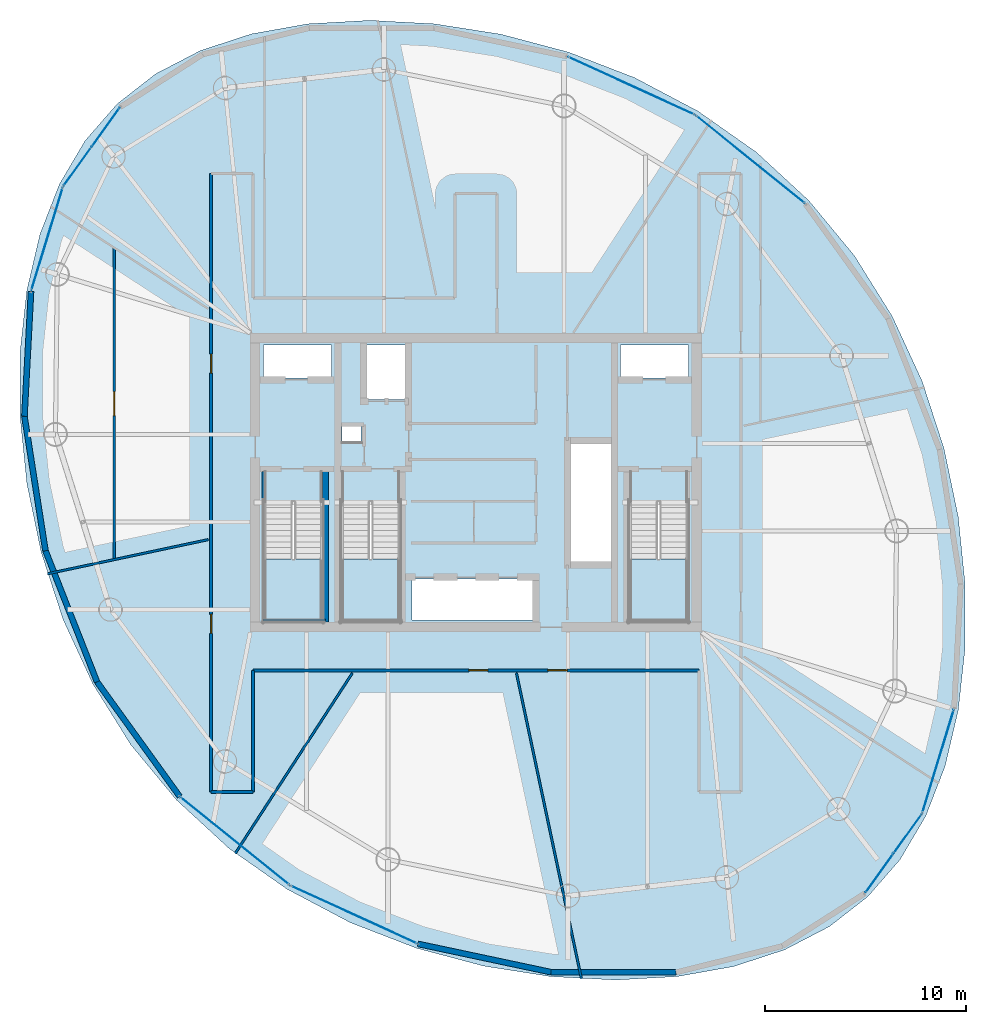
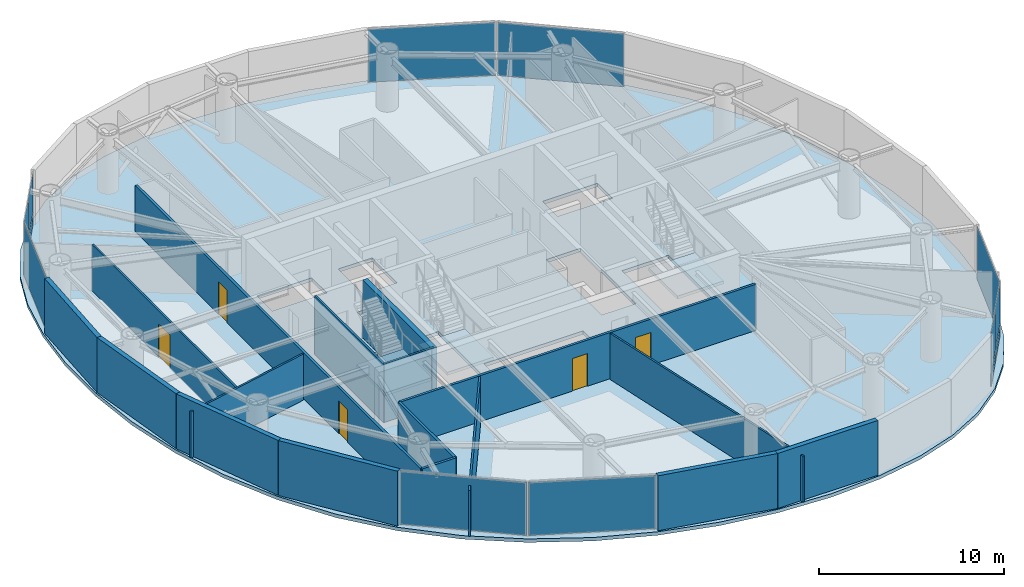
# One storey, part 12 of 19: 17 walls, 14 plates, 5 doors, 4 slabs, 5 openings, 11 elements without a shape of their own.
"""IFC4 building model written with IfcOpenShell, lengths in metres."""

from ifc_helpers import new_model, si_unit, direction, frame, frame_2d, origin, origin_2d, place, context, subcontext, project, spatial, polyline, rectangle, outline, extrude, material, layer, layer_set, type_object, element, fill, aggregate, save


model = new_model("IFC4")

# Units and contexts
model_context = context("Model", 3, precision=1e-05, world=origin(), true_north=direction((0.0, 1.0)))
body_context = subcontext(model_context, "Body", "Model", "MODEL_VIEW")
ifc_project = project(units=[si_unit("LENGTHUNIT", "METRE"), si_unit("AREAUNIT", "SQUARE_METRE"), si_unit("VOLUMEUNIT", "CUBIC_METRE"), si_unit("PLANEANGLEUNIT", "RADIAN"), si_unit("MASSUNIT", "GRAM", prefix="KILO")], contexts=[model_context])

# Site, building, storey
site_placement = place(None, origin())
site = spatial("IfcSite", under=ifc_project, at=site_placement, CompositionType="ELEMENT")
building_placement = place(site_placement, origin())
building = spatial("IfcBuilding", under=site, at=building_placement, Name="Bramvorn Convention Spire", CompositionType="ELEMENT")
storey_placement = place(building_placement, frame((0.0, 0.0, 217.39990234375)))
storey = spatial("IfcBuildingStorey", under=building, at=storey_placement, Name="L55", CompositionType="ELEMENT", Elevation=217.39990234375)

# Curtain wall, plates
ifc_material_1 = material(Name="Anodised Bronze Unitised Curtain Wall", Category="aluminium")
ifc_layer_1 = layer(ifc_material_1, 0.179931640625)
ifc_layer_set_1 = layer_set([ifc_layer_1], Name="Anodised Bronze Unitised Curtain Wall - CW-OFF-FRIT")
curtain_wall_type = type_object("IfcCurtainWallType", Name="CW-OFF-FRIT", PredefinedType="USERDEFINED", material=ifc_layer_set_1)
curtain_wall_1_placement = place(storey_placement, origin())
curtain_wall_1 = element("IfcCurtainWall", 1, at=curtain_wall_1_placement, inside=storey, type_object=curtain_wall_type, Name="L55 fritted glass curtain wall 01", ObjectType="UNITISED CURTAIN WALL", PredefinedType="USERDEFINED")
ifc_material_2 = material(Name="Laminated Low-E Glass (Triple IGU Solar Bronze Frit 28%)", Category="glass")
ifc_layer_2 = layer(ifc_material_2, 0.0400390625)
ifc_layer_set_2 = layer_set([ifc_layer_2], Name="Laminated Low-E Glass (Triple IGU Solar Bronze Frit 28%) - PNL-IGU-3")
plate_type = type_object("IfcPlateType", Name="PNL-IGU-3", PredefinedType="CURTAIN_PANEL", material=ifc_layer_set_2)
plate_1_placement = place(storey_placement, frame((59.50439453125, 8.50048828125, 0.06005859375), z_axis=(0.0, 0.0, 1.0), x_axis=(-0.583294565984, -0.812260702788, 0.0)))
plate_1 = element("IfcPlate", 2, at=plate_1_placement, type_object=plate_type, Name="CW3 panel 1.1", PredefinedType="CURTAIN_PANEL", context=body_context, shape_type="SweptSolid", body=[
    extrude(rectangle(XDim=2.34814453125, YDim=0.028076171875, at=origin_2d()), origin(), (0.0, 0.0, 1.0), 0.81005859375),
])
plate_2_placement = place(storey_placement, frame((59.50439453125, 8.50048828125, 0.93017578125), z_axis=(0.0, 0.0, 1.0), x_axis=(-0.583294565984, -0.812260702788, 0.0)))
plate_2 = element("IfcPlate", 3, at=plate_2_placement, type_object=plate_type, Name="CW3 panel 1.2", PredefinedType="CURTAIN_PANEL", context=body_context, shape_type="SweptSolid", body=[
    extrude(rectangle(XDim=2.34814453125, YDim=0.028076171875, at=origin_2d()), origin(), (0.0, 0.0, 1.0), 2.6298828125),
])
plate_3_placement = place(storey_placement, frame((58.099853515625, 6.54443359375, 0.06005859375), z_axis=(0.0, 0.0, 1.0), x_axis=(-0.583294565984, -0.812260702788, 0.0)))
plate_3 = element("IfcPlate", 4, at=plate_3_placement, type_object=plate_type, Name="CW3 panel 2.1", PredefinedType="CURTAIN_PANEL", context=body_context, shape_type="SweptSolid", body=[
    extrude(rectangle(XDim=2.34814453125, YDim=0.028076171875, at=origin_2d()), origin(), (0.0, 0.0, 1.0), 0.81005859375),
])
plate_4_placement = place(storey_placement, frame((58.099853515625, 6.54443359375, 0.93017578125), z_axis=(0.0, 0.0, 1.0), x_axis=(-0.583294565984, -0.812260702788, 0.0)))
plate_4 = element("IfcPlate", 5, at=plate_4_placement, type_object=plate_type, Name="CW3 panel 2.2", PredefinedType="CURTAIN_PANEL", context=body_context, shape_type="SweptSolid", body=[
    extrude(rectangle(XDim=2.34814453125, YDim=0.028076171875, at=origin_2d()), origin(), (0.0, 0.0, 1.0), 2.6298828125),
])
aggregate(curtain_wall_1, [plate_1, plate_2, plate_3, plate_4])

# Curtain wall, plate
curtain_wall_2_placement = place(storey_placement, origin())
curtain_wall_2 = element("IfcCurtainWall", 6, at=curtain_wall_2_placement, inside=storey, type_object=curtain_wall_type, Name="L55 fritted glass curtain wall 02", ObjectType="UNITISED CURTAIN WALL", PredefinedType="USERDEFINED")
plate_5_placement = place(storey_placement, frame((61.02294921875, 12.11572265625, 0.06005859375), z_axis=(0.0, 0.0, 1.0), x_axis=(-0.29231849112, -0.956321023375, 0.0)))
plate_5 = element("IfcPlate", 7, at=plate_5_placement, type_object=plate_type, Name="CW3 panel 1.1", PredefinedType="CURTAIN_PANEL", context=body_context, shape_type="SweptSolid", body=[
    extrude(rectangle(XDim=5.344482421875, YDim=0.028076171875, at=origin_2d()), origin(), (0.0, 0.0, 1.0), 3.5),
])
aggregate(curtain_wall_2, [plate_5])

curtain_wall_3_placement = place(storey_placement, origin())
curtain_wall_3 = element("IfcCurtainWall", 8, at=curtain_wall_3_placement, inside=storey, type_object=curtain_wall_type, Name="L55 fritted glass curtain wall 07", ObjectType="UNITISED CURTAIN WALL", PredefinedType="USERDEFINED")
plate_6_placement = place(storey_placement, frame((51.6708984375, 42.10693359375, 0.06005859375), z_axis=(0.0, 0.0, 1.0), x_axis=(0.778198884189, -0.628017911087, 0.0)))
plate_6 = element("IfcPlate", 9, at=plate_6_placement, type_object=plate_type, Name="CW3 panel 1.1", PredefinedType="CURTAIN_PANEL", context=body_context, shape_type="SweptSolid", body=[
    extrude(rectangle(XDim=6.925537109375, YDim=0.028076171875, at=origin_2d()), origin(), (0.0, 0.0, 1.0), 3.5),
])
aggregate(curtain_wall_3, [plate_6])

curtain_wall_4_placement = place(storey_placement, origin())
curtain_wall_4 = element("IfcCurtainWall", 10, at=curtain_wall_4_placement, inside=storey, type_object=curtain_wall_type, Name="L55 fritted glass curtain wall 08", ObjectType="UNITISED CURTAIN WALL", PredefinedType="USERDEFINED")
plate_7_placement = place(storey_placement, frame((45.738037109375, 45.777587890625, 0.06005859375), z_axis=(0.0, 0.0, 1.0), x_axis=(0.909523270867, -0.41565300402, 0.0)))
plate_7 = element("IfcPlate", 11, at=plate_7_placement, type_object=plate_type, Name="CW3 panel 1.1", PredefinedType="CURTAIN_PANEL", context=body_context, shape_type="SweptSolid", body=[
    extrude(rectangle(XDim=6.897705078125, YDim=0.028076171875, at=origin_2d()), origin(), (0.0, 0.0, 1.0), 3.5),
])
aggregate(curtain_wall_4, [plate_7])

# Curtain wall, plates
curtain_wall_5_placement = place(storey_placement, origin())
curtain_wall_5 = element("IfcCurtainWall", 12, at=curtain_wall_5_placement, inside=storey, type_object=curtain_wall_type, Name="L55 fritted glass curtain wall 13", ObjectType="UNITISED CURTAIN WALL", PredefinedType="USERDEFINED")
plate_8_placement = place(storey_placement, frame((18.14599609375, 41.757080078125, 0.06005859375), z_axis=(0.0, 0.0, 1.0), x_axis=(0.583294565984, 0.812260702788, 0.0)))
plate_8 = element("IfcPlate", 13, at=plate_8_placement, type_object=plate_type, Name="CW3 panel 1.1", PredefinedType="CURTAIN_PANEL", context=body_context, shape_type="SweptSolid", body=[
    extrude(rectangle(XDim=2.34814453125, YDim=0.028076171875, at=origin_2d()), origin(), (0.0, 0.0, 1.0), 0.81005859375),
])
plate_9_placement = place(storey_placement, frame((18.14599609375, 41.757080078125, 0.93017578125), z_axis=(0.0, 0.0, 1.0), x_axis=(0.583294565984, 0.812260702788, 0.0)))
plate_9 = element("IfcPlate", 14, at=plate_9_placement, type_object=plate_type, Name="CW3 panel 1.2", PredefinedType="CURTAIN_PANEL", context=body_context, shape_type="SweptSolid", body=[
    extrude(rectangle(XDim=2.34814453125, YDim=0.028076171875, at=origin_2d()), origin(), (0.0, 0.0, 1.0), 2.6298828125),
])
plate_10_placement = place(storey_placement, frame((19.55078125, 43.713134765625, 0.06005859375), z_axis=(0.0, 0.0, 1.0), x_axis=(0.583294565984, 0.812260702788, 0.0)))
plate_10 = element("IfcPlate", 15, at=plate_10_placement, type_object=plate_type, Name="CW3 panel 2.1", PredefinedType="CURTAIN_PANEL", context=body_context, shape_type="SweptSolid", body=[
    extrude(rectangle(XDim=2.34814453125, YDim=0.028076171875, at=origin_2d()), origin(), (0.0, 0.0, 1.0), 0.81005859375),
])
plate_11_placement = place(storey_placement, frame((19.55078125, 43.713134765625, 0.93017578125), z_axis=(0.0, 0.0, 1.0), x_axis=(0.583294565984, 0.812260702788, 0.0)))
plate_11 = element("IfcPlate", 16, at=plate_11_placement, type_object=plate_type, Name="CW3 panel 2.2", PredefinedType="CURTAIN_PANEL", context=body_context, shape_type="SweptSolid", body=[
    extrude(rectangle(XDim=2.34814453125, YDim=0.028076171875, at=origin_2d()), origin(), (0.0, 0.0, 1.0), 2.6298828125),
])
aggregate(curtain_wall_5, [plate_8, plate_9, plate_10, plate_11])

# Curtain wall, plate
curtain_wall_6_placement = place(storey_placement, origin())
curtain_wall_6 = element("IfcCurtainWall", 17, at=curtain_wall_6_placement, inside=storey, type_object=curtain_wall_type, Name="L55 fritted glass curtain wall 14", ObjectType="UNITISED CURTAIN WALL", PredefinedType="USERDEFINED")
plate_12_placement = place(storey_placement, frame((16.62744140625, 38.141845703125, 0.06005859375), z_axis=(0.0, 0.0, 1.0), x_axis=(0.292306870575, 0.956324575348, 0.0)))
plate_12 = element("IfcPlate", 18, at=plate_12_placement, type_object=plate_type, Name="CW3 panel 1.1", PredefinedType="CURTAIN_PANEL", context=body_context, shape_type="SweptSolid", body=[
    extrude(rectangle(XDim=5.344482421875, YDim=0.028076171875, at=origin_2d()), origin(), (0.0, 0.0, 1.0), 3.5),
])
aggregate(curtain_wall_6, [plate_12])

curtain_wall_7_placement = place(storey_placement, origin())
curtain_wall_7 = element("IfcCurtainWall", 19, at=curtain_wall_7_placement, inside=storey, type_object=curtain_wall_type, Name="L55 fritted glass curtain wall 19", ObjectType="UNITISED CURTAIN WALL", PredefinedType="USERDEFINED")
plate_13_placement = place(storey_placement, frame((25.979736328125, 8.15087890625, 0.06005859375), z_axis=(0.0, 0.0, 1.0), x_axis=(-0.77819194754, 0.628026506434, 0.0)))
plate_13 = element("IfcPlate", 20, at=plate_13_placement, type_object=plate_type, Name="CW3 panel 1.1", PredefinedType="CURTAIN_PANEL", context=body_context, shape_type="SweptSolid", body=[
    extrude(rectangle(XDim=6.925537109375, YDim=0.028076171875, at=origin_2d()), origin(), (0.0, 0.0, 1.0), 3.5),
])
aggregate(curtain_wall_7, [plate_13])

curtain_wall_8_placement = place(storey_placement, origin())
curtain_wall_8 = element("IfcCurtainWall", 21, at=curtain_wall_8_placement, inside=storey, type_object=curtain_wall_type, Name="L55 fritted glass curtain wall 20", ObjectType="UNITISED CURTAIN WALL", PredefinedType="USERDEFINED")
plate_14_placement = place(storey_placement, frame((31.91259765625, 4.47998046875, 0.06005859375), z_axis=(0.0, 0.0, 1.0), x_axis=(-0.909531119639, 0.415635829072, 0.0)))
plate_14 = element("IfcPlate", 22, at=plate_14_placement, type_object=plate_type, Name="CW3 panel 1.1", PredefinedType="CURTAIN_PANEL", context=body_context, shape_type="SweptSolid", body=[
    extrude(rectangle(XDim=6.897705078125, YDim=0.028076171875, at=origin_2d()), origin(), (0.0, 0.0, 1.0), 3.5),
])
aggregate(curtain_wall_8, [plate_14])

# Stair, slab
ifc_material_3 = material(Name="Concrete C40/50 Precast Stair", Category="concrete")
stair_type = type_object("IfcStairType", Name="ST-TOWER-1550", PredefinedType="HALF_TURN_STAIR", material=ifc_material_3)
stair_1_placement = place(storey_placement, origin())
stair_1 = element("IfcStair", 23, at=stair_1_placement, inside=storey, type_object=stair_type, Name="L55 Protected Exit Stair ST1", PredefinedType="HALF_TURN_STAIR")
ifc_material_4 = material(Name="Concrete C40/50 Stair Landing", Category="concrete")
ifc_layer_3 = layer(ifc_material_4, 0.219970703125)
ifc_layer_set_3 = layer_set([ifc_layer_3], Name="Concrete C40/50 Stair Landing - SLB-STAIR-LANDING")
slab_type_1 = type_object("IfcSlabType", Name="SLB-STAIR-LANDING", PredefinedType="LANDING", material=ifc_layer_set_3)
slab_1_placement = place(storey_placement, frame((0.0, 0.0, 1.72509765625)))
slab_1 = element("IfcSlab", 24, at=slab_1_placement, type_object=slab_type_1, Name="ST1 landing 1", PredefinedType="LANDING", context=body_context, shape_type="SweptSolid", body=[
    extrude(outline(polyline([(27.449951171875, 22.199951171875), (27.449951171875, 19.10009765625), (30.35009765625, 19.10009765625), (30.35009765625, 22.199951171875), (27.449951171875, 22.199951171875)])), origin(), (0.0, 0.0, 1.0), 0.199951171875),
])
aggregate(stair_1, [slab_1])

stair_2_placement = place(storey_placement, origin())
stair_2 = element("IfcStair", 25, at=stair_2_placement, inside=storey, type_object=stair_type, Name="L55 Protected Exit Stair ST2", PredefinedType="HALF_TURN_STAIR")
slab_2_placement = place(storey_placement, frame((0.0, 0.0, 1.72509765625)))
slab_2 = element("IfcSlab", 26, at=slab_2_placement, type_object=slab_type_1, Name="ST2 landing 1", PredefinedType="LANDING", context=body_context, shape_type="SweptSolid", body=[
    extrude(outline(polyline([(45.64990234375, 22.199951171875), (45.64990234375, 19.10009765625), (48.550048828125, 19.10009765625), (48.550048828125, 22.199951171875), (45.64990234375, 22.199951171875)])), origin(), (0.0, 0.0, 1.0), 0.199951171875),
])
aggregate(stair_2, [slab_2])

stair_3_placement = place(storey_placement, origin())
stair_3 = element("IfcStair", 27, at=stair_3_placement, inside=storey, type_object=stair_type, Name="L55 Protected Exit Stair ST3", PredefinedType="HALF_TURN_STAIR")
slab_3_placement = place(storey_placement, frame((0.0, 0.0, 1.72509765625)))
slab_3 = element("IfcSlab", 28, at=slab_3_placement, type_object=slab_type_1, Name="ST3 landing 1", PredefinedType="LANDING", context=body_context, shape_type="SweptSolid", body=[
    extrude(outline(polyline([(31.300048828125, 22.199951171875), (31.300048828125, 19.10009765625), (34.199951171875, 19.10009765625), (34.199951171875, 22.199951171875), (31.300048828125, 22.199951171875)])), origin(), (0.0, 0.0, 1.0), 0.199951171875),
])
aggregate(stair_3, [slab_3])

# Slab
ifc_material_5 = material(Name="Concrete C40/50", Category="concrete")
ifc_layer_4 = layer(ifc_material_5, 0.22998046875)
ifc_layer_set_4 = layer_set([ifc_layer_4], Name="Concrete C40/50 - SLB-Z3-230")
slab_type_2 = type_object("IfcSlabType", Name="SLB-Z3-230", PredefinedType="FLOOR", material=ifc_layer_set_4)
slab_4_placement = place(storey_placement, frame((0.0, 0.0, -0.22998046875)))
element("IfcSlab", 29, at=slab_4_placement, inside=storey, type_object=slab_type_2, Name="L55 tower floor slab", PredefinedType="FLOOR", context=body_context, shape_type="SweptSolid", body=[
    extrude(outline(polyline([(57.53125, 5.38232421875), (59.128662109375, 7.216064453125), (60.408935546875, 9.385009765625), (61.37548828125, 11.876220703125), (62.029296875, 14.6630859375), (62.364990234375, 17.70361328125), (62.37060546875, 20.9404296875), (62.029296875, 24.3017578125), (61.32080078125, 27.705810546875), (60.227783203125, 31.065673828125), (58.738037109375, 34.29541015625), (56.85205078125, 37.3154296875), (54.584716796875, 40.057861328125), (51.96875, 42.47021484375), (49.05517578125, 44.516845703125), (45.91064453125, 46.178955078125), (42.614990234375, 47.4521484375), (39.254150390625, 48.343505859375), (35.916259765625, 48.8662109375), (32.68408203125, 49.03564453125), (29.629638671875, 48.864990234375), (26.811279296875, 48.36279296875), (24.271728515625, 47.5322265625), (22.03662109375, 46.371337890625), (20.119140625, 44.875244140625), (18.521728515625, 43.04150390625), (17.24169921875, 40.872802734375), (16.27490234375, 38.381591796875), (15.62109375, 35.5947265625), (15.28564453125, 32.553955078125), (15.27978515625, 29.317138671875), (15.621337890625, 25.9560546875), (16.32958984375, 22.552001953125), (17.4228515625, 19.192138671875), (18.912353515625, 15.96240234375), (20.79833984375, 12.9423828125), (23.06591796875, 10.19970703125), (25.681640625, 7.787353515625), (28.59521484375, 5.74072265625), (31.73974609375, 4.078857421875), (35.03564453125, 2.805419921875), (38.396484375, 1.914306640625), (41.734375, 1.3916015625), (44.966552734375, 1.22216796875), (48.02099609375, 1.392578125), (50.839111328125, 1.894775390625), (53.37890625, 2.725341796875), (55.61376953125, 3.886474609375), (57.53125, 5.38232421875)]), holes=[polyline([(27.449951171875, 25.050048828125), (27.449951171875, 19.10009765625), (30.35009765625, 19.10009765625), (30.35009765625, 25.050048828125), (27.449951171875, 25.050048828125)]), polyline([(45.64990234375, 25.050048828125), (45.64990234375, 19.10009765625), (48.550048828125, 19.10009765625), (48.550048828125, 25.050048828125), (45.64990234375, 25.050048828125)]), polyline([(31.300048828125, 25.050048828125), (31.300048828125, 19.10009765625), (34.199951171875, 19.10009765625), (34.199951171875, 25.050048828125), (31.300048828125, 25.050048828125)]), polyline([(27.39990234375, 31.219970703125), (30.800048828125, 31.219970703125), (30.800048828125, 32.85009765625), (27.39990234375, 32.85009765625), (27.39990234375, 31.219970703125)]), polyline([(45.199951171875, 31.219970703125), (48.60009765625, 31.219970703125), (48.60009765625, 32.85009765625), (45.199951171875, 32.85009765625), (45.199951171875, 31.219970703125)]), polyline([(32.449951171875, 30.14990234375), (34.56005859375, 30.14990234375), (34.56005859375, 32.85009765625), (32.449951171875, 32.85009765625), (32.449951171875, 30.14990234375)]), polyline([(34.800048828125, 19.14990234375), (40.97998046875, 19.14990234375), (40.97998046875, 21.199951171875), (34.800048828125, 21.199951171875), (34.800048828125, 19.14990234375)]), polyline([(42.6201171875, 22.0), (44.75, 22.0), (44.75, 28.0), (42.6201171875, 28.0), (42.6201171875, 22.0)]), polyline([(31.320068359375, 28.02001953125), (32.280029296875, 28.02001953125), (32.280029296875, 28.820068359375), (31.320068359375, 28.820068359375), (31.320068359375, 28.02001953125)])]), origin(), (0.0, 0.0, 1.0), 0.22998046875),
])

# Walls
ifc_material_6 = material(Name="Precast Concrete C40/50 with Bronze Terracotta Rainscreen", Category="masonry")
ifc_layer_5 = layer(ifc_material_6, 0.300048828125)
ifc_layer_set_5 = layer_set([ifc_layer_5], Name="Precast Concrete C40/50 with Bronze Terracotta Rainscreen - WL-EXT-BRONZE-300")
wall_type_1 = type_object("IfcWallType", Name="WL-EXT-BRONZE-300", PredefinedType="SOLIDWALL", material=ifc_layer_set_5)
wall_1_placement = place(storey_placement, frame((15.5, 29.311279296875, 0.0), z_axis=(0.0, 0.0, 1.0), x_axis=(0.052816080331, 0.99860425678, 0.0)))
element("IfcWall", 30, at=wall_1_placement, inside=storey, type_object=wall_type_1, Name="L55 expressed bronze Gothic lancet pier wall 15", PredefinedType="SOLIDWALL", context=body_context, shape_type="SweptSolid", body=[
    extrude(rectangle(XDim=6.2265625, YDim=0.280029296875, at=frame_2d((3.11328125, 0.0))), origin(), (0.0, 0.0, 1.0), 3.6201171875),
])
wall_2_placement = place(storey_placement, frame((16.549072265625, 22.6083984375, 0.0), z_axis=(0.0, 0.0, 1.0), x_axis=(-0.154628256873, 0.987972723397, 0.0)))
element("IfcWall", 31, at=wall_2_placement, inside=storey, type_object=wall_type_1, Name="L55 expressed bronze Gothic lancet pier wall 16", PredefinedType="SOLIDWALL", context=body_context, shape_type="SweptSolid", body=[
    extrude(rectangle(XDim=6.784423828125, YDim=0.280029296875, at=frame_2d((3.39208984375, 0.0))), origin(), (0.0, 0.0, 1.0), 3.6201171875),
])
wall_3_placement = place(storey_placement, frame((19.116455078125, 16.077392578125, 0.0), z_axis=(0.0, 0.0, 1.0), x_axis=(-0.365853647231, 0.930672396071, 0.0)))
element("IfcWall", 32, at=wall_3_placement, inside=storey, type_object=wall_type_1, Name="L55 expressed bronze Gothic lancet pier wall 17", PredefinedType="SOLIDWALL", context=body_context, shape_type="SweptSolid", body=[
    extrude(rectangle(XDim=7.017578125, YDim=0.280029296875, at=frame_2d((3.5087890625, 0.0))), origin(), (0.0, 0.0, 1.0), 3.6201171875),
])
wall_4_placement = place(storey_placement, frame((23.23828125, 10.36328125, 0.0), z_axis=(0.0, 0.0, 1.0), x_axis=(-0.585021079156, 0.811018086693, 0.0)))
element("IfcWall", 33, at=wall_4_placement, inside=storey, type_object=wall_type_1, Name="L55 expressed bronze Gothic lancet pier wall 18", PredefinedType="SOLIDWALL", context=body_context, shape_type="SweptSolid", body=[
    extrude(rectangle(XDim=7.045654296875, YDim=0.280029296875, at=frame_2d((3.52294921875, 0.0))), origin(), (0.0, 0.0, 1.0), 3.6201171875),
])
wall_5_placement = place(storey_placement, frame((41.740234375, 1.611328125, 0.0), z_axis=(0.0, 0.0, 1.0), x_axis=(-0.978160131295, 0.207852730423, 0.0)))
element("IfcWall", 34, at=wall_5_placement, inside=storey, type_object=wall_type_1, Name="L55 expressed bronze Gothic lancet pier wall 21", PredefinedType="SOLIDWALL", context=body_context, shape_type="SweptSolid", body=[
    extrude(rectangle(XDim=6.784423828125, YDim=0.280029296875, at=frame_2d((3.39208984375, 0.0))), origin(), (0.0, 0.0, 1.0), 3.6201171875),
])
wall_6_placement = place(storey_placement, frame((47.966552734375, 1.603759765625, 0.0), z_axis=(0.0, 0.0, 1.0), x_axis=(-0.999999261228, 0.001215542371, 0.0)))
element("IfcWall", 35, at=wall_6_placement, inside=storey, type_object=wall_type_1, Name="L55 expressed bronze Gothic lancet pier wall 22", PredefinedType="SOLIDWALL", context=body_context, shape_type="SweptSolid", body=[
    extrude(rectangle(XDim=6.226318359375, YDim=0.280029296875, at=frame_2d((3.11328125, 0.0))), origin(), (0.0, 0.0, 1.0), 3.6201171875),
])
ifc_material_7 = material(Name="Lightweight En-Suite & Wet-Wall Partition", Category="gypsum")
ifc_layer_6 = layer(ifc_material_7, 0.110107421875)
ifc_layer_set_6 = layer_set([ifc_layer_6], Name="Lightweight En-Suite & Wet-Wall Partition - WL-PART-110")
wall_type_2 = type_object("IfcWallType", Name="WL-PART-110", PredefinedType="PARTITIONING", material=ifc_layer_set_6)
wall_7_placement = place(storey_placement, frame((24.659912109375, 23.16455078125, 0.0), z_axis=(0.0, 0.0, 1.0), x_axis=(-0.978149300771, -0.20790369261, 0.0)))
element("IfcWall", 36, at=wall_7_placement, inside=storey, type_object=wall_type_2, Name="L55 Tenant suite partition 5", PredefinedType="PARTITIONING", context=body_context, shape_type="SweptSolid", body=[
    extrude(rectangle(XDim=8.187255859375, YDim=0.110107421875, at=frame_2d((4.09375, 0.0))), origin(), (0.0, 0.0, 1.0), 3.03515625),
])
wall_8_placement = place(storey_placement, frame((31.837158203125, 16.510009765625, 0.0), z_axis=(0.0, 0.0, 1.0), x_axis=(-0.54464873575, -0.838664268135, 0.0)))
element("IfcWall", 37, at=wall_8_placement, inside=storey, type_object=wall_type_2, Name="L55 Tenant suite partition 6", PredefinedType="PARTITIONING", context=body_context, shape_type="SweptSolid", body=[
    extrude(rectangle(XDim=10.715087890625, YDim=0.110107421875, at=frame_2d((5.357421875, 0.0))), origin(), (0.0, 0.0, 1.0), 3.03515625),
])
wall_9_placement = place(storey_placement, frame((40.01708984375, 16.510009765625, 0.0), z_axis=(0.0, 0.0, 1.0), x_axis=(0.207911646141, -0.97814761023, 0.0)))
element("IfcWall", 38, at=wall_9_placement, inside=storey, type_object=wall_type_2, Name="L55 Tenant suite partition 7", PredefinedType="PARTITIONING", context=body_context, shape_type="SweptSolid", body=[
    extrude(rectangle(XDim=15.568115234375, YDim=0.110107421875, at=frame_2d((7.7841796875, 0.0))), origin(), (0.0, 0.0, 1.0), 3.03515625),
])

# Wall, opening, door
wall_10_placement = place(storey_placement, frame((19.97998046875, 22.1494140625, 0.0), z_axis=(0.0, 0.0, 1.0), x_axis=(0.0, 1.0, 0.0)))
wall_10 = element("IfcWall", 39, at=wall_10_placement, inside=storey, type_object=wall_type_2, Name="L55 Associate Office Chamber 4 inner suite partition", PredefinedType="PARTITIONING", context=body_context, shape_type="SweptSolid", body=[
    extrude(rectangle(XDim=15.576904296875, YDim=0.110107421875, at=frame_2d((7.78857421875, 0.0))), origin(), (0.0, 0.0, 1.0), 3.03515625),
])
opening_1_placement = place(wall_10_placement, frame((7.1884765625, 0.0, 0.0)))
opening_1 = element("IfcOpeningElement", 40, at=opening_1_placement, cuts=wall_10, Name="Opening DSL-12", PredefinedType="OPENING", context=body_context, shape_type="SweptSolid", body=[
    extrude(rectangle(XDim=1.199951171875, YDim=2.14990234375, at=frame_2d((0.60009765625, 1.074951171875))), frame((0.0, 0.06494140625, 0.0), z_axis=(0.0, -1.0, 0.0), x_axis=(1.0, 0.0, 0.0)), (0.0, 0.0, 1.0), 0.130126953125),
])
ifc_material_8 = material(Name="Pocket Sliding Bronze-Framed Glass Suite Door", Category="glass")
door_type_1 = type_object("IfcDoorType", Name="DR-SLIDE-1200", OperationType="NOTDEFINED", PredefinedType="DOOR", material=ifc_material_8)
door_1_placement = place(opening_1_placement, origin())
door_1 = element("IfcDoor", 41, at=door_1_placement, inside=storey, type_object=door_type_1, Name="L55 Inner Suite 4 door", OperationType="SLIDING_TO_RIGHT", OverallHeight=2.14990234375, OverallWidth=1.199951171875, PredefinedType="DOOR", context=body_context, shape_type="SweptSolid", body=[
    extrude(rectangle(XDim=1.199951171875, YDim=2.14990234375, at=frame_2d((0.60009765625, 1.074951171875))), frame((0.0, 0.02490234375, 0.0), z_axis=(0.0, -1.0, 0.0), x_axis=(1.0, 0.0, 0.0)), (0.0, 0.0, 1.0), 0.050048828125),
])
fill(opening_1, door_1)

# Wall, openings, doors
ifc_material_9 = material(Name="Acoustic Metal-Stud Tenant/Corridor Partition", Category="gypsum")
ifc_layer_7 = layer(ifc_material_9, 0.14990234375)
ifc_layer_set_7 = layer_set([ifc_layer_7], Name="Acoustic Metal-Stud Tenant/Corridor Partition - WL-PART-150")
wall_type_3 = type_object("IfcWallType", Name="WL-PART-150", PredefinedType="PARTITIONING", material=ifc_layer_set_7)
wall_11_placement = place(storey_placement, frame((26.89990234375, 16.64990234375, 0.0), z_axis=(0.0, 0.0, 1.0), x_axis=(1.0, 0.0, 0.0)))
wall_11 = element("IfcWall", 42, at=wall_11_placement, inside=storey, type_object=wall_type_3, Name="L55 South H-crossbar wall", PredefinedType="PARTITIONING", context=body_context, shape_type="SweptSolid", body=[
    extrude(rectangle(XDim=22.2001953125, YDim=0.14990234375, at=frame_2d((11.10009765625, 0.0))), origin(), (0.0, 0.0, 1.0), 3.03515625),
])
opening_2_placement = place(wall_11_placement, frame((10.74365234375, 0.0, 0.0)))
opening_2 = element("IfcOpeningElement", 43, at=opening_2_placement, cuts=wall_11, Name="Opening DH-095", PredefinedType="OPENING", context=body_context, shape_type="SweptSolid", body=[
    extrude(rectangle(XDim=0.949951171875, YDim=2.14990234375, at=frame_2d((0.47509765625, 1.074951171875))), frame((0.0, 0.0849609375, 0.0), z_axis=(0.0, -1.0, 0.0), x_axis=(1.0, 0.0, 0.0)), (0.0, 0.0, 1.0), 0.169921875),
])
opening_3_placement = place(wall_11_placement, frame((14.687255859375, 0.0, 0.0)))
opening_3 = element("IfcOpeningElement", 44, at=opening_3_placement, cuts=wall_11, Name="Opening DH-095", PredefinedType="OPENING", context=body_context, shape_type="SweptSolid", body=[
    extrude(rectangle(XDim=0.949951171875, YDim=2.14990234375, at=frame_2d((0.47509765625, 1.074951171875))), frame((0.0, 0.0849609375, 0.0), z_axis=(0.0, -1.0, 0.0), x_axis=(1.0, 0.0, 0.0)), (0.0, 0.0, 1.0), 0.169921875),
])
ifc_material_10 = material(Name="Solid-Core Acoustic Guestroom Entry Door", Category="wood")
door_type_2 = type_object("IfcDoorType", Name="DR-HOTEL-950", OperationType="NOTDEFINED", PredefinedType="DOOR", material=ifc_material_10)
door_2_placement = place(opening_2_placement, origin())
door_2 = element("IfcDoor", 45, at=door_2_placement, inside=storey, type_object=door_type_2, Name="L55 Associate Office Chamber 6 6 door", OperationType="SINGLE_SWING_LEFT", OverallHeight=2.14990234375, OverallWidth=0.949951171875, PredefinedType="DOOR", context=body_context, shape_type="SweptSolid", body=[
    extrude(rectangle(XDim=0.949951171875, YDim=2.14990234375, at=frame_2d((0.47509765625, 1.074951171875))), frame((0.0, 0.02490234375, 0.0), z_axis=(0.0, -1.0, 0.0), x_axis=(1.0, 0.0, 0.0)), (0.0, 0.0, 1.0), 0.050048828125),
])
fill(opening_2, door_2)
door_3_placement = place(opening_3_placement, origin())
door_3 = element("IfcDoor", 46, at=door_3_placement, inside=storey, type_object=door_type_2, Name="L55 Arbitration Meeting Room 1 7 door", OperationType="SINGLE_SWING_LEFT", OverallHeight=2.14990234375, OverallWidth=0.949951171875, PredefinedType="DOOR", context=body_context, shape_type="SweptSolid", body=[
    extrude(rectangle(XDim=0.949951171875, YDim=2.14990234375, at=frame_2d((0.47509765625, 1.074951171875))), frame((0.0, 0.02490234375, 0.0), z_axis=(0.0, -1.0, 0.0), x_axis=(1.0, 0.0, 0.0)), (0.0, 0.0, 1.0), 0.050048828125),
])
fill(opening_3, door_3)

wall_12_placement = place(storey_placement, frame((24.800048828125, 10.60009765625, 0.0), z_axis=(0.0, 0.0, 1.0), x_axis=(0.0, 1.0, 0.0)))
wall_12 = element("IfcWall", 47, at=wall_12_placement, inside=storey, type_object=wall_type_3, Name="L55 West N-S gallery outer wall", PredefinedType="PARTITIONING", context=body_context, shape_type="SweptSolid", body=[
    extrude(rectangle(XDim=30.7998046875, YDim=0.14990234375, at=frame_2d((15.39990234375, 0.0))), origin(), (0.0, 0.0, 1.0), 3.03515625),
])
opening_4_placement = place(wall_12_placement, frame((20.8583984375, 0.0, 0.0)))
opening_4 = element("IfcOpeningElement", 48, at=opening_4_placement, cuts=wall_12, Name="Opening DH-095", PredefinedType="OPENING", context=body_context, shape_type="SweptSolid", body=[
    extrude(rectangle(XDim=0.949951171875, YDim=2.14990234375, at=frame_2d((0.47509765625, 1.074951171875))), frame((0.0, 0.0849609375, 0.0), z_axis=(0.0, -1.0, 0.0), x_axis=(1.0, 0.0, 0.0)), (0.0, 0.0, 1.0), 0.169921875),
])
opening_5_placement = place(wall_12_placement, frame((7.887451171875, 0.0, 0.0)))
opening_5 = element("IfcOpeningElement", 49, at=opening_5_placement, cuts=wall_12, Name="Opening DH-095", PredefinedType="OPENING", context=body_context, shape_type="SweptSolid", body=[
    extrude(rectangle(XDim=0.949951171875, YDim=2.14990234375, at=frame_2d((0.47509765625, 1.074951171875))), frame((0.0, 0.0849609375, 0.0), z_axis=(0.0, -1.0, 0.0), x_axis=(1.0, 0.0, 0.0)), (0.0, 0.0, 1.0), 0.169921875),
])
door_4_placement = place(opening_4_placement, origin())
door_4 = element("IfcDoor", 50, at=door_4_placement, inside=storey, type_object=door_type_2, Name="L55 Associate Office Chamber 4 4 door", OperationType="SINGLE_SWING_RIGHT", OverallHeight=2.14990234375, OverallWidth=0.949951171875, PredefinedType="DOOR", context=body_context, shape_type="SweptSolid", body=[
    extrude(rectangle(XDim=0.949951171875, YDim=2.14990234375, at=frame_2d((0.47509765625, 1.074951171875))), frame((0.0, 0.02490234375, 0.0), z_axis=(0.0, -1.0, 0.0), x_axis=(1.0, 0.0, 0.0)), (0.0, 0.0, 1.0), 0.050048828125),
])
fill(opening_4, door_4)
door_5_placement = place(opening_5_placement, origin())
door_5 = element("IfcDoor", 51, at=door_5_placement, inside=storey, type_object=door_type_2, Name="L55 Associate Office Chamber 5 5 door", OperationType="SINGLE_SWING_RIGHT", OverallHeight=2.14990234375, OverallWidth=0.949951171875, PredefinedType="DOOR", context=body_context, shape_type="SweptSolid", body=[
    extrude(rectangle(XDim=0.949951171875, YDim=2.14990234375, at=frame_2d((0.47509765625, 1.074951171875))), frame((0.0, 0.02490234375, 0.0), z_axis=(0.0, -1.0, 0.0), x_axis=(1.0, 0.0, 0.0)), (0.0, 0.0, 1.0), 0.050048828125),
])
fill(opening_5, door_5)

# Walls
wall_13_placement = place(storey_placement, frame((26.89990234375, 10.60009765625, 0.0), z_axis=(0.0, 0.0, 1.0), x_axis=(0.0, 1.0, 0.0)))
element("IfcWall", 52, at=wall_13_placement, inside=storey, type_object=wall_type_3, Name="L55 West gallery SE wall", PredefinedType="PARTITIONING", context=body_context, shape_type="SweptSolid", body=[
    extrude(rectangle(XDim=6.0498046875, YDim=0.14990234375, at=frame_2d((3.02490234375, 0.0))), origin(), (0.0, 0.0, 1.0), 3.03515625),
])
wall_14_placement = place(storey_placement, frame((24.800048828125, 10.60009765625, 0.0), z_axis=(0.0, 0.0, 1.0), x_axis=(1.0, 0.0, 0.0)))
element("IfcWall", 53, at=wall_14_placement, inside=storey, type_object=wall_type_3, Name="L55 West gallery south end", PredefinedType="PARTITIONING", context=body_context, shape_type="SweptSolid", body=[
    extrude(rectangle(XDim=2.099853515625, YDim=0.14990234375, at=frame_2d((1.0498046875, 0.0))), origin(), (0.0, 0.0, 1.0), 3.03515625),
])
ifc_material_11 = material(Name="Concrete C50/60", Category="concrete")
ifc_layer_8 = layer(ifc_material_11, 0.300048828125)
ifc_layer_set_8 = layer_set([ifc_layer_8], Name="Concrete C50/60 - WL-POD-STAIR-300")
wall_type_4 = type_object("IfcWallType", Name="WL-POD-STAIR-300", PredefinedType="SHEAR", material=ifc_layer_set_8)
wall_15_placement = place(storey_placement, frame((30.489990234375, 19.050048828125, 0.0), z_axis=(0.0, 0.0, 1.0), x_axis=(0.0, 1.0, 0.0)))
element("IfcWall", 54, at=wall_15_placement, inside=storey, type_object=wall_type_4, Name="L55 ST1 east bearing wall", PredefinedType="SHEAR", context=body_context, shape_type="SweptSolid", body=[
    extrude(rectangle(XDim=7.5, YDim=0.300048828125, at=frame_2d((3.75, 0.0))), origin(), (0.0, 0.0, 1.0), 3.85009765625),
])
ifc_layer_9 = layer(ifc_material_11, 0.1201171875)
ifc_layer_set_9 = layer_set([ifc_layer_9], Name="Concrete C50/60 - WL-STAIR-RC-120")
wall_type_5 = type_object("IfcWallType", Name="WL-STAIR-RC-120", PredefinedType="SHEAR", material=ifc_layer_set_9)
wall_16_placement = place(storey_placement, frame((27.39501953125, 19.10009765625, 0.0), z_axis=(0.0, 0.0, 1.0), x_axis=(0.0, 1.0, 0.0)))
element("IfcWall", 55, at=wall_16_placement, inside=storey, type_object=wall_type_5, Name="L55 ST1 west bearing shear wall", PredefinedType="SHEAR", context=body_context, shape_type="SweptSolid", body=[
    extrude(rectangle(XDim=7.449951171875, YDim=0.1201171875, at=frame_2d((3.72509765625, 0.0))), origin(), (0.0, 0.0, 1.0), 3.85009765625),
])
wall_17_placement = place(storey_placement, frame((27.39501953125, 19.159912109375, 0.0), z_axis=(0.0, 0.0, 1.0), x_axis=(1.0, 0.0, 0.0)))
element("IfcWall", 56, at=wall_17_placement, inside=storey, type_object=wall_type_5, Name="L55 ST1 south bearing shear wall", PredefinedType="SHEAR", context=body_context, shape_type="SweptSolid", body=[
    extrude(rectangle(XDim=3.094970703125, YDim=0.1201171875, at=frame_2d((1.54736328125, 0.0))), origin(), (0.0, 0.0, 1.0), 3.85009765625),
])

save(model, "model.ifc")
